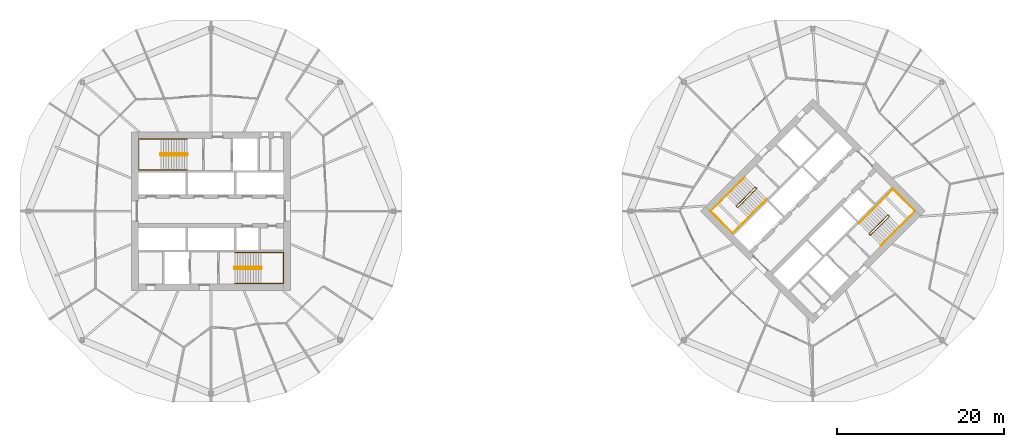
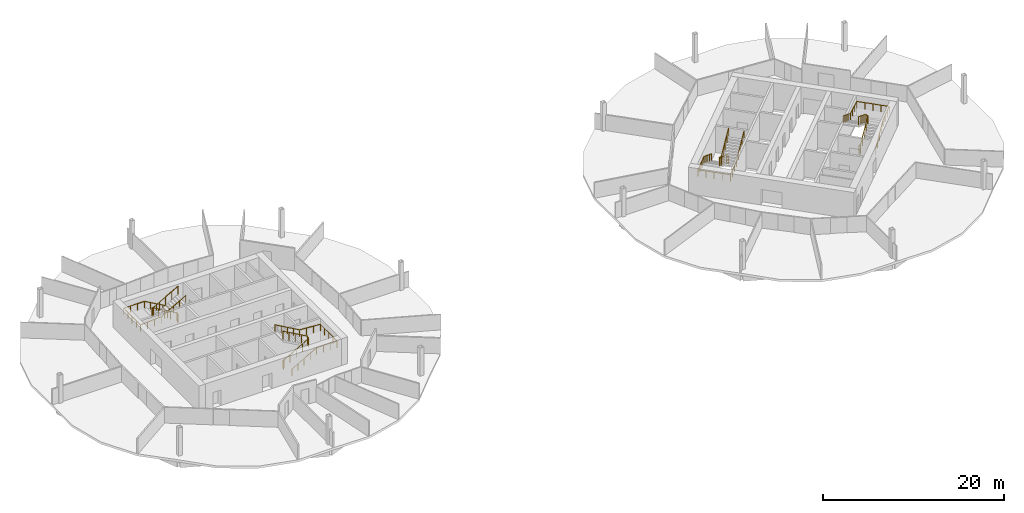
# One storey, part 9 of 9: 8 railings.
"""IFC4 building model written with IfcOpenShell, lengths in metres."""

from ifc_helpers import new_model, si_unit, direction, frame, origin, origin_2d, place, context, subcontext, project, spatial, circle, extrude, material, type_object, element, save


model = new_model("IFC4")

# Units and contexts
model_context = context("Model", 3, precision=1e-05, world=origin(), true_north=direction((0.0, 1.0)))
body_context = subcontext(model_context, "Body", "Model", "MODEL_VIEW")
ifc_project = project(units=[si_unit("LENGTHUNIT", "METRE"), si_unit("AREAUNIT", "SQUARE_METRE"), si_unit("VOLUMEUNIT", "CUBIC_METRE"), si_unit("PLANEANGLEUNIT", "RADIAN"), si_unit("MASSUNIT", "GRAM", prefix="KILO")], contexts=[model_context])

# Site, building, storey
site_placement = place(None, origin())
site = spatial("IfcSite", under=ifc_project, at=site_placement, CompositionType="ELEMENT")
building_placement = place(site_placement, origin())
building = spatial("IfcBuilding", under=site, at=building_placement, Name="Ogive Gate Towers", CompositionType="ELEMENT")
storey_placement = place(building_placement, frame((0.0, 0.0, 48.0)))
storey = spatial("IfcBuildingStorey", under=building, at=storey_placement, Name="L10", CompositionType="ELEMENT", Elevation=48.0)

# Railings
ifc_material = material(Name="Stainless steel", Category="steel")
railing_type_1 = type_object("IfcRailingType", Name="Stair guard 1100", PredefinedType="GUARDRAIL", material=ifc_material)
railing_1_placement = place(storey_placement, frame((-38.81494140625, 6.860107421875, 0.0)))
element("IfcRailing", 1, at=railing_1_placement, inside=storey, type_object=railing_type_1, Name="L10 ST1 stair guard 1", PredefinedType="GUARDRAIL", context=body_context, shape_type="SweptSolid", body=[
    extrude(circle(Radius=0.02392578125, at=origin_2d()), frame((0.0, 0.0, 1.076171875), z_axis=(0.0, -1.0, 0.0), x_axis=(1.0, 0.0, 0.0)), (0.0, 0.0, 1.0), 0.14501953125),
    extrude(circle(Radius=0.02392578125, at=origin_2d()), frame((0.0, -0.14501953125, 1.076171875), z_axis=(-0.186679794065, 0.726685247142, 0.661119660934), x_axis=(-0.968551454522, -0.24881334358, 0.0)), (0.0, 0.0, 1.0), 0.26806640625),
    extrude(circle(Radius=0.02392578125, at=origin_2d()), frame((-0.050048828125, 0.0498046875, 1.25341796875), z_axis=(-0.870572935281, 0.0, 0.492039393094), x_axis=(0.0, -1.0, 0.0)), (0.0, 0.0, 1.0), 3.602783203125),
    extrude(circle(Radius=0.02392578125, at=origin_2d()), frame((-3.1865234375, 0.0498046875, 3.02587890625), z_axis=(-0.707106781187, -0.707106781187, 0.0), x_axis=(0.707106781187, -0.707106781187, 0.0)), (0.0, 0.0, 1.0), 0.0703125),
    extrude(circle(Radius=0.02392578125, at=origin_2d()), frame((-3.236328125, 0.0, 3.02587890625), z_axis=(0.0, -1.0, 0.0), x_axis=(1.0, 0.0, 0.0)), (0.0, 0.0, 1.0), 0.14501953125),
    extrude(circle(Radius=0.02392578125, at=origin_2d()), frame((-3.236328125, -0.14501953125, 3.02587890625), z_axis=(0.261041864531, -0.262321481514, 0.929001929653), x_axis=(0.708833529934, 0.705375805398, 0.0)), (0.0, 0.0, 1.0), 0.190673828125),
    extrude(circle(Radius=0.02392578125, at=origin_2d()), frame((-3.1865234375, -0.195068359375, 3.203125), z_axis=(0.870572935281, 0.0, 0.492039393094), x_axis=(0.0, 1.0, 0.0)), (0.0, 0.0, 1.0), 3.602783203125),
    extrude(circle(Radius=0.02099609375, at=origin_2d()), origin(), (0.0, 0.0, 1.0), 1.052001953125),
    extrude(circle(Radius=0.02099609375, at=origin_2d()), frame((0.0, -0.14501953125, 0.0)), (0.0, 0.0, 1.0), 1.052001953125),
    extrude(circle(Radius=0.02099609375, at=origin_2d()), frame((-0.050048828125, 0.0498046875, 0.17724609375)), (0.0, 0.0, 1.0), 1.052001953125),
    extrude(circle(Radius=0.02099609375, at=origin_2d()), frame((-0.834228515625, 0.0498046875, 0.620361328125)), (0.0, 0.0, 1.0), 1.052001953125),
    extrude(circle(Radius=0.02099609375, at=origin_2d()), frame((-1.6181640625, 0.0498046875, 1.0634765625)), (0.0, 0.0, 1.0), 1.052001953125),
    extrude(circle(Radius=0.02099609375, at=origin_2d()), frame((-2.40234375, 0.0498046875, 1.5068359375)), (0.0, 0.0, 1.0), 1.052001953125),
    extrude(circle(Radius=0.02099609375, at=origin_2d()), frame((-3.1865234375, 0.0498046875, 1.949951171875)), (0.0, 0.0, 1.0), 1.052001953125),
    extrude(circle(Radius=0.02099609375, at=origin_2d()), frame((-3.236328125, 0.0, 1.949951171875)), (0.0, 0.0, 1.0), 1.052001953125),
    extrude(circle(Radius=0.02099609375, at=origin_2d()), frame((-3.236328125, -0.14501953125, 1.949951171875)), (0.0, 0.0, 1.0), 1.052001953125),
    extrude(circle(Radius=0.02099609375, at=origin_2d()), frame((-3.1865234375, -0.195068359375, 2.127197265625)), (0.0, 0.0, 1.0), 1.052001953125),
    extrude(circle(Radius=0.02099609375, at=origin_2d()), frame((-2.40234375, -0.195068359375, 2.5703125)), (0.0, 0.0, 1.0), 1.052001953125),
    extrude(circle(Radius=0.02099609375, at=origin_2d()), frame((-1.6181640625, -0.195068359375, 3.013671875)), (0.0, 0.0, 1.0), 1.052001953125),
    extrude(circle(Radius=0.02099609375, at=origin_2d()), frame((-0.834228515625, -0.195068359375, 3.456787109375)), (0.0, 0.0, 1.0), 1.052001953125),
    extrude(circle(Radius=0.02099609375, at=origin_2d()), frame((-0.050048828125, -0.195068359375, 3.89990234375)), (0.0, 0.0, 1.0), 1.052001953125),
])
railing_2_placement = place(storey_placement, frame((-33.18505859375, -6.860107421875, 0.0)))
element("IfcRailing", 2, at=railing_2_placement, inside=storey, type_object=railing_type_1, Name="L10 ST2 stair guard 1", PredefinedType="GUARDRAIL", context=body_context, shape_type="SweptSolid", body=[
    extrude(circle(Radius=0.02392578125, at=origin_2d()), frame((0.0, 0.0, 1.076171875), z_axis=(0.0, 1.0, 0.0), x_axis=(-1.0, 0.0, 0.0)), (0.0, 0.0, 1.0), 0.14501953125),
    extrude(circle(Radius=0.02392578125, at=origin_2d()), frame((0.0, 0.14501953125, 1.076171875), z_axis=(0.186679794065, -0.726685247142, 0.661119660934), x_axis=(0.968551454522, 0.24881334358, 0.0)), (0.0, 0.0, 1.0), 0.26806640625),
    extrude(circle(Radius=0.02392578125, at=origin_2d()), frame((0.050048828125, -0.0498046875, 1.25341796875), z_axis=(0.870572935281, 0.0, 0.492039393094), x_axis=(0.0, 1.0, 0.0)), (0.0, 0.0, 1.0), 3.602783203125),
    extrude(circle(Radius=0.02392578125, at=origin_2d()), frame((3.1865234375, -0.0498046875, 3.02587890625), z_axis=(0.707106781187, 0.707106781187, 0.0), x_axis=(-0.707106781187, 0.707106781187, 0.0)), (0.0, 0.0, 1.0), 0.0703125),
    extrude(circle(Radius=0.02392578125, at=origin_2d()), frame((3.236328125, 0.0, 3.02587890625), z_axis=(0.0, 1.0, 0.0), x_axis=(-1.0, 0.0, 0.0)), (0.0, 0.0, 1.0), 0.14501953125),
    extrude(circle(Radius=0.02392578125, at=origin_2d()), frame((3.236328125, 0.14501953125, 3.02587890625), z_axis=(-0.261041864531, 0.262321481514, 0.929001929653), x_axis=(-0.708833529934, -0.705375805398, 0.0)), (0.0, 0.0, 1.0), 0.190673828125),
    extrude(circle(Radius=0.02392578125, at=origin_2d()), frame((3.1865234375, 0.195068359375, 3.203125), z_axis=(-0.870572935281, 0.0, 0.492039393094), x_axis=(0.0, -1.0, 0.0)), (0.0, 0.0, 1.0), 3.602783203125),
    extrude(circle(Radius=0.02099609375, at=origin_2d()), origin(), (0.0, 0.0, 1.0), 1.052001953125),
    extrude(circle(Radius=0.02099609375, at=origin_2d()), frame((0.0, 0.14501953125, 0.0)), (0.0, 0.0, 1.0), 1.052001953125),
    extrude(circle(Radius=0.02099609375, at=origin_2d()), frame((0.050048828125, -0.0498046875, 0.17724609375)), (0.0, 0.0, 1.0), 1.052001953125),
    extrude(circle(Radius=0.02099609375, at=origin_2d()), frame((0.834228515625, -0.0498046875, 0.620361328125)), (0.0, 0.0, 1.0), 1.052001953125),
    extrude(circle(Radius=0.02099609375, at=origin_2d()), frame((1.6181640625, -0.0498046875, 1.0634765625)), (0.0, 0.0, 1.0), 1.052001953125),
    extrude(circle(Radius=0.02099609375, at=origin_2d()), frame((2.40234375, -0.0498046875, 1.5068359375)), (0.0, 0.0, 1.0), 1.052001953125),
    extrude(circle(Radius=0.02099609375, at=origin_2d()), frame((3.1865234375, -0.0498046875, 1.949951171875)), (0.0, 0.0, 1.0), 1.052001953125),
    extrude(circle(Radius=0.02099609375, at=origin_2d()), frame((3.236328125, 0.0, 1.949951171875)), (0.0, 0.0, 1.0), 1.052001953125),
    extrude(circle(Radius=0.02099609375, at=origin_2d()), frame((3.236328125, 0.14501953125, 1.949951171875)), (0.0, 0.0, 1.0), 1.052001953125),
    extrude(circle(Radius=0.02099609375, at=origin_2d()), frame((3.1865234375, 0.195068359375, 2.127197265625)), (0.0, 0.0, 1.0), 1.052001953125),
    extrude(circle(Radius=0.02099609375, at=origin_2d()), frame((2.40234375, 0.195068359375, 2.5703125)), (0.0, 0.0, 1.0), 1.052001953125),
    extrude(circle(Radius=0.02099609375, at=origin_2d()), frame((1.6181640625, 0.195068359375, 3.013671875)), (0.0, 0.0, 1.0), 1.052001953125),
    extrude(circle(Radius=0.02099609375, at=origin_2d()), frame((0.834228515625, 0.195068359375, 3.456787109375)), (0.0, 0.0, 1.0), 1.052001953125),
    extrude(circle(Radius=0.02099609375, at=origin_2d()), frame((0.050048828125, 0.195068359375, 3.89990234375)), (0.0, 0.0, 1.0), 1.052001953125),
])
railing_3_placement = place(storey_placement, frame((29.15869140625, 2.8603515625, 0.0)))
element("IfcRailing", 3, at=railing_3_placement, inside=storey, type_object=railing_type_1, Name="L10 ST1 stair guard 1", PredefinedType="GUARDRAIL", context=body_context, shape_type="SweptSolid", body=[
    extrude(circle(Radius=0.02392578125, at=origin_2d()), frame((0.0, 0.0, 1.076171875), z_axis=(0.707106781187, -0.707106781187, 0.0), x_axis=(0.707106781187, 0.707106781187, 0.0)), (0.0, 0.0, 1.0), 0.14501953125),
    extrude(circle(Radius=0.02392578125, at=origin_2d()), frame((0.1025390625, -0.1025390625, 1.076171875), z_axis=(-0.645571447971, 0.382425963537, 0.661050594114), x_axis=(-0.509669330572, -0.860370369942, 0.0)), (0.0, 0.0, 1.0), 0.26806640625),
    extrude(circle(Radius=0.02392578125, at=origin_2d()), frame((-0.070556640625, 0.0, 1.25341796875), z_axis=(-0.61558473135, -0.61558473135, 0.49204763698), x_axis=(0.707106781187, -0.707106781187, 0.0)), (0.0, 0.0, 1.0), 3.602783203125),
    extrude(circle(Radius=0.02392578125, at=origin_2d()), frame((-2.288330078125, -2.2177734375, 3.02587890625), z_axis=(0.0, -1.0, 0.0), x_axis=(1.0, 0.0, 0.0)), (0.0, 0.0, 1.0), 0.07080078125),
    extrude(circle(Radius=0.02392578125, at=origin_2d()), frame((-2.288330078125, -2.28857421875, 3.02587890625), z_axis=(0.707106781187, -0.707106781187, 0.0), x_axis=(0.707106781187, 0.707106781187, 0.0)), (0.0, 0.0, 1.0), 0.14501953125),
    extrude(circle(Radius=0.02392578125, at=origin_2d()), frame((-2.185791015625, -2.39111328125, 3.02587890625), z_axis=(0.369845645421, 0.0, 0.929093213065), x_axis=(0.0, 1.0, 0.0)), (0.0, 0.0, 1.0), 0.190673828125),
    extrude(circle(Radius=0.02392578125, at=origin_2d()), frame((-2.115234375, -2.39111328125, 3.203125), z_axis=(0.61558473135, 0.61558473135, 0.49204763698), x_axis=(-0.707106781187, 0.707106781187, 0.0)), (0.0, 0.0, 1.0), 3.602783203125),
    extrude(circle(Radius=0.02099609375, at=origin_2d()), origin(), (0.0, 0.0, 1.0), 1.052001953125),
    extrude(circle(Radius=0.02099609375, at=origin_2d()), frame((0.1025390625, -0.1025390625, 0.0)), (0.0, 0.0, 1.0), 1.052001953125),
    extrude(circle(Radius=0.02099609375, at=origin_2d()), frame((-0.070556640625, 0.0, 0.17724609375)), (0.0, 0.0, 1.0), 1.052001953125),
    extrude(circle(Radius=0.02099609375, at=origin_2d()), frame((-0.625, -0.554443359375, 0.620361328125)), (0.0, 0.0, 1.0), 1.052001953125),
    extrude(circle(Radius=0.02099609375, at=origin_2d()), frame((-1.179443359375, -1.10888671875, 1.0634765625)), (0.0, 0.0, 1.0), 1.052001953125),
    extrude(circle(Radius=0.02099609375, at=origin_2d()), frame((-1.73388671875, -1.663330078125, 1.5068359375)), (0.0, 0.0, 1.0), 1.052001953125),
    extrude(circle(Radius=0.02099609375, at=origin_2d()), frame((-2.288330078125, -2.2177734375, 1.949951171875)), (0.0, 0.0, 1.0), 1.052001953125),
    extrude(circle(Radius=0.02099609375, at=origin_2d()), frame((-2.288330078125, -2.28857421875, 1.949951171875)), (0.0, 0.0, 1.0), 1.052001953125),
    extrude(circle(Radius=0.02099609375, at=origin_2d()), frame((-2.185791015625, -2.39111328125, 1.949951171875)), (0.0, 0.0, 1.0), 1.052001953125),
    extrude(circle(Radius=0.02099609375, at=origin_2d()), frame((-2.115234375, -2.39111328125, 2.127197265625)), (0.0, 0.0, 1.0), 1.052001953125),
    extrude(circle(Radius=0.02099609375, at=origin_2d()), frame((-1.560791015625, -1.836669921875, 2.5703125)), (0.0, 0.0, 1.0), 1.052001953125),
    extrude(circle(Radius=0.02099609375, at=origin_2d()), frame((-1.00634765625, -1.2822265625, 3.013671875)), (0.0, 0.0, 1.0), 1.052001953125),
    extrude(circle(Radius=0.02099609375, at=origin_2d()), frame((-0.451904296875, -0.727783203125, 3.456787109375)), (0.0, 0.0, 1.0), 1.052001953125),
    extrude(circle(Radius=0.02099609375, at=origin_2d()), frame((0.1025390625, -0.17333984375, 3.89990234375)), (0.0, 0.0, 1.0), 1.052001953125),
])
railing_4_placement = place(storey_placement, frame((42.84130859375, -2.8603515625, 0.0)))
element("IfcRailing", 4, at=railing_4_placement, inside=storey, type_object=railing_type_1, Name="L10 ST2 stair guard 1", PredefinedType="GUARDRAIL", context=body_context, shape_type="SweptSolid", body=[
    extrude(circle(Radius=0.02392578125, at=origin_2d()), frame((0.0, 0.0, 1.076171875), z_axis=(-0.707106781187, 0.707106781187, 0.0), x_axis=(-0.707106781187, -0.707106781187, 0.0)), (0.0, 0.0, 1.0), 0.14501953125),
    extrude(circle(Radius=0.02392578125, at=origin_2d()), frame((-0.1025390625, 0.1025390625, 1.076171875), z_axis=(0.645571447971, -0.382425963537, 0.661050594114), x_axis=(0.509669330572, 0.860370369942, 0.0)), (0.0, 0.0, 1.0), 0.26806640625),
    extrude(circle(Radius=0.02392578125, at=origin_2d()), frame((0.070556640625, 0.0, 1.25341796875), z_axis=(0.61558473135, 0.61558473135, 0.49204763698), x_axis=(-0.707106781187, 0.707106781187, 0.0)), (0.0, 0.0, 1.0), 3.602783203125),
    extrude(circle(Radius=0.02392578125, at=origin_2d()), frame((2.288330078125, 2.2177734375, 3.02587890625), z_axis=(0.0, 1.0, 0.0), x_axis=(-1.0, 0.0, 0.0)), (0.0, 0.0, 1.0), 0.07080078125),
    extrude(circle(Radius=0.02392578125, at=origin_2d()), frame((2.288330078125, 2.28857421875, 3.02587890625), z_axis=(-0.707106781187, 0.707106781187, 0.0), x_axis=(-0.707106781187, -0.707106781187, 0.0)), (0.0, 0.0, 1.0), 0.14501953125),
    extrude(circle(Radius=0.02392578125, at=origin_2d()), frame((2.185791015625, 2.39111328125, 3.02587890625), z_axis=(-0.369845645421, 0.0, 0.929093213065), x_axis=(0.0, -1.0, 0.0)), (0.0, 0.0, 1.0), 0.190673828125),
    extrude(circle(Radius=0.02392578125, at=origin_2d()), frame((2.115234375, 2.39111328125, 3.203125), z_axis=(-0.61558473135, -0.61558473135, 0.49204763698), x_axis=(0.707106781187, -0.707106781187, 0.0)), (0.0, 0.0, 1.0), 3.602783203125),
    extrude(circle(Radius=0.02099609375, at=origin_2d()), origin(), (0.0, 0.0, 1.0), 1.052001953125),
    extrude(circle(Radius=0.02099609375, at=origin_2d()), frame((-0.1025390625, 0.1025390625, 0.0)), (0.0, 0.0, 1.0), 1.052001953125),
    extrude(circle(Radius=0.02099609375, at=origin_2d()), frame((0.070556640625, 0.0, 0.17724609375)), (0.0, 0.0, 1.0), 1.052001953125),
    extrude(circle(Radius=0.02099609375, at=origin_2d()), frame((0.625, 0.554443359375, 0.620361328125)), (0.0, 0.0, 1.0), 1.052001953125),
    extrude(circle(Radius=0.02099609375, at=origin_2d()), frame((1.179443359375, 1.10888671875, 1.0634765625)), (0.0, 0.0, 1.0), 1.052001953125),
    extrude(circle(Radius=0.02099609375, at=origin_2d()), frame((1.73388671875, 1.663330078125, 1.5068359375)), (0.0, 0.0, 1.0), 1.052001953125),
    extrude(circle(Radius=0.02099609375, at=origin_2d()), frame((2.288330078125, 2.2177734375, 1.949951171875)), (0.0, 0.0, 1.0), 1.052001953125),
    extrude(circle(Radius=0.02099609375, at=origin_2d()), frame((2.288330078125, 2.28857421875, 1.949951171875)), (0.0, 0.0, 1.0), 1.052001953125),
    extrude(circle(Radius=0.02099609375, at=origin_2d()), frame((2.185791015625, 2.39111328125, 1.949951171875)), (0.0, 0.0, 1.0), 1.052001953125),
    extrude(circle(Radius=0.02099609375, at=origin_2d()), frame((2.115234375, 2.39111328125, 2.127197265625)), (0.0, 0.0, 1.0), 1.052001953125),
    extrude(circle(Radius=0.02099609375, at=origin_2d()), frame((1.560791015625, 1.836669921875, 2.5703125)), (0.0, 0.0, 1.0), 1.052001953125),
    extrude(circle(Radius=0.02099609375, at=origin_2d()), frame((1.00634765625, 1.2822265625, 3.013671875)), (0.0, 0.0, 1.0), 1.052001953125),
    extrude(circle(Radius=0.02099609375, at=origin_2d()), frame((0.451904296875, 0.727783203125, 3.456787109375)), (0.0, 0.0, 1.0), 1.052001953125),
    extrude(circle(Radius=0.02099609375, at=origin_2d()), frame((-0.1025390625, 0.17333984375, 3.89990234375)), (0.0, 0.0, 1.0), 1.052001953125),
])
railing_type_2 = type_object("IfcRailingType", Name="Stair handrail 900", PredefinedType="HANDRAIL", material=ifc_material)
railing_5_placement = place(storey_placement, frame((-38.864990234375, 8.64990234375, 0.17724609375)))
element("IfcRailing", 5, at=railing_5_placement, inside=storey, type_object=railing_type_2, Name="L10 ST1 stair handrail 1", PredefinedType="HANDRAIL", context=body_context, shape_type="SweptSolid", body=[
    extrude(circle(Radius=0.02392578125, at=origin_2d()), frame((0.0, 0.0, 0.8759765625), z_axis=(-0.870572935281, 0.0, 0.492039393094), x_axis=(0.0, -1.0, 0.0)), (0.0, 0.0, 1.0), 3.602783203125),
    extrude(circle(Radius=0.02392578125, at=origin_2d()), frame((-3.136474609375, 0.0, 2.6484375), z_axis=(-1.0, 0.0, 0.0), x_axis=(0.0, -1.0, 0.0)), (0.0, 0.0, 1.0), 2.6484375),
    extrude(circle(Radius=0.02392578125, at=origin_2d()), frame((-5.784912109375, 0.0, 2.6484375), z_axis=(0.0, -1.0, 0.0), x_axis=(1.0, 0.0, 0.0)), (0.0, 0.0, 1.0), 3.724853515625),
    extrude(circle(Radius=0.02392578125, at=origin_2d()), frame((-5.784912109375, -3.724853515625, 2.6484375), z_axis=(0.997768031817, 0.0, 0.066775404784), x_axis=(0.0, 1.0, 0.0)), (0.0, 0.0, 1.0), 2.654296875),
    extrude(circle(Radius=0.02392578125, at=origin_2d()), frame((-3.136474609375, -3.724853515625, 2.82568359375), z_axis=(0.870572935281, 0.0, 0.492039393094), x_axis=(0.0, 1.0, 0.0)), (0.0, 0.0, 1.0), 3.602783203125),
    extrude(circle(Radius=0.02099609375, at=origin_2d()), origin(), (0.0, 0.0, 1.0), 0.851806640625),
    extrude(circle(Radius=0.02099609375, at=origin_2d()), frame((-0.7841796875, 0.0, 0.443115234375)), (0.0, 0.0, 1.0), 0.851806640625),
    extrude(circle(Radius=0.02099609375, at=origin_2d()), frame((-1.568359375, 0.0, 0.88623046875)), (0.0, 0.0, 1.0), 0.851806640625),
    extrude(circle(Radius=0.02099609375, at=origin_2d()), frame((-2.352294921875, 0.0, 1.32958984375)), (0.0, 0.0, 1.0), 0.851806640625),
    extrude(circle(Radius=0.02099609375, at=origin_2d()), frame((-3.136474609375, 0.0, 1.772705078125)), (0.0, 0.0, 1.0), 0.851806640625),
    extrude(circle(Radius=0.02099609375, at=origin_2d()), frame((-4.019287109375, 0.0, 1.772705078125)), (0.0, 0.0, 1.0), 0.851806640625),
    extrude(circle(Radius=0.02099609375, at=origin_2d()), frame((-4.902099609375, 0.0, 1.772705078125)), (0.0, 0.0, 1.0), 0.851806640625),
    extrude(circle(Radius=0.02099609375, at=origin_2d()), frame((-5.784912109375, 0.0, 1.772705078125)), (0.0, 0.0, 1.0), 0.851806640625),
    extrude(circle(Radius=0.02099609375, at=origin_2d()), frame((-5.784912109375, -0.93115234375, 1.772705078125)), (0.0, 0.0, 1.0), 0.851806640625),
    extrude(circle(Radius=0.02099609375, at=origin_2d()), frame((-5.784912109375, -1.8623046875, 1.772705078125)), (0.0, 0.0, 1.0), 0.851806640625),
    extrude(circle(Radius=0.02099609375, at=origin_2d()), frame((-5.784912109375, -2.793701171875, 1.772705078125)), (0.0, 0.0, 1.0), 0.851806640625),
    extrude(circle(Radius=0.02099609375, at=origin_2d()), frame((-5.784912109375, -3.724853515625, 1.772705078125)), (0.0, 0.0, 1.0), 0.851806640625),
    extrude(circle(Radius=0.02099609375, at=origin_2d()), frame((-4.902099609375, -3.724853515625, 1.831787109375)), (0.0, 0.0, 1.0), 0.851806640625),
    extrude(circle(Radius=0.02099609375, at=origin_2d()), frame((-4.019287109375, -3.724853515625, 1.890869140625)), (0.0, 0.0, 1.0), 0.851806640625),
    extrude(circle(Radius=0.02099609375, at=origin_2d()), frame((-3.136474609375, -3.724853515625, 1.949951171875)), (0.0, 0.0, 1.0), 0.851806640625),
    extrude(circle(Radius=0.02099609375, at=origin_2d()), frame((-2.352294921875, -3.724853515625, 2.39306640625)), (0.0, 0.0, 1.0), 0.851806640625),
    extrude(circle(Radius=0.02099609375, at=origin_2d()), frame((-1.568359375, -3.724853515625, 2.83642578125)), (0.0, 0.0, 1.0), 0.851806640625),
    extrude(circle(Radius=0.02099609375, at=origin_2d()), frame((-0.7841796875, -3.724853515625, 3.279541015625)), (0.0, 0.0, 1.0), 0.851806640625),
    extrude(circle(Radius=0.02099609375, at=origin_2d()), frame((0.0, -3.724853515625, 3.72265625)), (0.0, 0.0, 1.0), 0.851806640625),
])
railing_6_placement = place(storey_placement, frame((-33.135009765625, -8.64990234375, 0.17724609375)))
element("IfcRailing", 6, at=railing_6_placement, inside=storey, type_object=railing_type_2, Name="L10 ST2 stair handrail 1", PredefinedType="HANDRAIL", context=body_context, shape_type="SweptSolid", body=[
    extrude(circle(Radius=0.02392578125, at=origin_2d()), frame((0.0, 0.0, 0.8759765625), z_axis=(0.870572935281, 0.0, 0.492039393094), x_axis=(0.0, 1.0, 0.0)), (0.0, 0.0, 1.0), 3.602783203125),
    extrude(circle(Radius=0.02392578125, at=origin_2d()), frame((3.136474609375, 0.0, 2.6484375), z_axis=(1.0, 0.0, 0.0), x_axis=(0.0, 1.0, 0.0)), (0.0, 0.0, 1.0), 2.6484375),
    extrude(circle(Radius=0.02392578125, at=origin_2d()), frame((5.784912109375, 0.0, 2.6484375), z_axis=(0.0, 1.0, 0.0), x_axis=(-1.0, 0.0, 0.0)), (0.0, 0.0, 1.0), 3.724853515625),
    extrude(circle(Radius=0.02392578125, at=origin_2d()), frame((5.784912109375, 3.724853515625, 2.6484375), z_axis=(-0.997768031817, 0.0, 0.066775404784), x_axis=(0.0, -1.0, 0.0)), (0.0, 0.0, 1.0), 2.654296875),
    extrude(circle(Radius=0.02392578125, at=origin_2d()), frame((3.136474609375, 3.724853515625, 2.82568359375), z_axis=(-0.870572935281, 0.0, 0.492039393094), x_axis=(0.0, -1.0, 0.0)), (0.0, 0.0, 1.0), 3.602783203125),
    extrude(circle(Radius=0.02099609375, at=origin_2d()), origin(), (0.0, 0.0, 1.0), 0.851806640625),
    extrude(circle(Radius=0.02099609375, at=origin_2d()), frame((0.7841796875, 0.0, 0.443115234375)), (0.0, 0.0, 1.0), 0.851806640625),
    extrude(circle(Radius=0.02099609375, at=origin_2d()), frame((1.568359375, 0.0, 0.88623046875)), (0.0, 0.0, 1.0), 0.851806640625),
    extrude(circle(Radius=0.02099609375, at=origin_2d()), frame((2.352294921875, 0.0, 1.32958984375)), (0.0, 0.0, 1.0), 0.851806640625),
    extrude(circle(Radius=0.02099609375, at=origin_2d()), frame((3.136474609375, 0.0, 1.772705078125)), (0.0, 0.0, 1.0), 0.851806640625),
    extrude(circle(Radius=0.02099609375, at=origin_2d()), frame((4.019287109375, 0.0, 1.772705078125)), (0.0, 0.0, 1.0), 0.851806640625),
    extrude(circle(Radius=0.02099609375, at=origin_2d()), frame((4.902099609375, 0.0, 1.772705078125)), (0.0, 0.0, 1.0), 0.851806640625),
    extrude(circle(Radius=0.02099609375, at=origin_2d()), frame((5.784912109375, 0.0, 1.772705078125)), (0.0, 0.0, 1.0), 0.851806640625),
    extrude(circle(Radius=0.02099609375, at=origin_2d()), frame((5.784912109375, 0.93115234375, 1.772705078125)), (0.0, 0.0, 1.0), 0.851806640625),
    extrude(circle(Radius=0.02099609375, at=origin_2d()), frame((5.784912109375, 1.8623046875, 1.772705078125)), (0.0, 0.0, 1.0), 0.851806640625),
    extrude(circle(Radius=0.02099609375, at=origin_2d()), frame((5.784912109375, 2.793701171875, 1.772705078125)), (0.0, 0.0, 1.0), 0.851806640625),
    extrude(circle(Radius=0.02099609375, at=origin_2d()), frame((5.784912109375, 3.724853515625, 1.772705078125)), (0.0, 0.0, 1.0), 0.851806640625),
    extrude(circle(Radius=0.02099609375, at=origin_2d()), frame((4.902099609375, 3.724853515625, 1.831787109375)), (0.0, 0.0, 1.0), 0.851806640625),
    extrude(circle(Radius=0.02099609375, at=origin_2d()), frame((4.019287109375, 3.724853515625, 1.890869140625)), (0.0, 0.0, 1.0), 0.851806640625),
    extrude(circle(Radius=0.02099609375, at=origin_2d()), frame((3.136474609375, 3.724853515625, 1.949951171875)), (0.0, 0.0, 1.0), 0.851806640625),
    extrude(circle(Radius=0.02099609375, at=origin_2d()), frame((2.352294921875, 3.724853515625, 2.39306640625)), (0.0, 0.0, 1.0), 0.851806640625),
    extrude(circle(Radius=0.02099609375, at=origin_2d()), frame((1.568359375, 3.724853515625, 2.83642578125)), (0.0, 0.0, 1.0), 0.851806640625),
    extrude(circle(Radius=0.02099609375, at=origin_2d()), frame((0.7841796875, 3.724853515625, 3.279541015625)), (0.0, 0.0, 1.0), 0.851806640625),
    extrude(circle(Radius=0.02099609375, at=origin_2d()), frame((0.0, 3.724853515625, 3.72265625)), (0.0, 0.0, 1.0), 0.851806640625),
])
railing_7_placement = place(storey_placement, frame((27.857666015625, 4.090576171875, 0.17724609375)))
element("IfcRailing", 7, at=railing_7_placement, inside=storey, type_object=railing_type_2, Name="L10 ST1 stair handrail 1", PredefinedType="HANDRAIL", context=body_context, shape_type="SweptSolid", body=[
    extrude(circle(Radius=0.02392578125, at=origin_2d()), frame((0.0, 0.0, 0.8759765625), z_axis=(-0.61558473135, -0.61558473135, 0.49204763698), x_axis=(0.707106781187, -0.707106781187, 0.0)), (0.0, 0.0, 1.0), 3.602783203125),
    extrude(circle(Radius=0.02392578125, at=origin_2d()), frame((-2.2177734375, -2.2177734375, 2.6484375), z_axis=(-0.707106781187, -0.707106781187, 0.0), x_axis=(0.707106781187, -0.707106781187, 0.0)), (0.0, 0.0, 1.0), 2.6484375),
    extrude(circle(Radius=0.02392578125, at=origin_2d()), frame((-4.090576171875, -4.090576171875, 2.6484375), z_axis=(0.707106781187, -0.707106781187, 0.0), x_axis=(0.707106781187, 0.707106781187, 0.0)), (0.0, 0.0, 1.0), 3.72509765625),
    extrude(circle(Radius=0.02392578125, at=origin_2d()), frame((-1.45654296875, -6.724609375, 2.6484375), z_axis=(0.705482886452, 0.705574853978, 0.066768423356), x_axis=(-0.70715286629, 0.70706069308, 0.0)), (0.0, 0.0, 1.0), 2.654541015625),
    extrude(circle(Radius=0.02392578125, at=origin_2d()), frame((0.416259765625, -4.8515625, 2.82568359375), z_axis=(0.615610411033, 0.615542642384, 0.4920681632), x_axis=(-0.70706785752, 0.70714570271, 0.0)), (0.0, 0.0, 1.0), 3.6025390625),
    extrude(circle(Radius=0.02099609375, at=origin_2d()), origin(), (0.0, 0.0, 1.0), 0.851806640625),
    extrude(circle(Radius=0.02099609375, at=origin_2d()), frame((-0.554443359375, -0.554443359375, 0.443115234375)), (0.0, 0.0, 1.0), 0.851806640625),
    extrude(circle(Radius=0.02099609375, at=origin_2d()), frame((-1.10888671875, -1.10888671875, 0.88623046875)), (0.0, 0.0, 1.0), 0.851806640625),
    extrude(circle(Radius=0.02099609375, at=origin_2d()), frame((-1.663330078125, -1.663330078125, 1.32958984375)), (0.0, 0.0, 1.0), 0.851806640625),
    extrude(circle(Radius=0.02099609375, at=origin_2d()), frame((-2.2177734375, -2.2177734375, 1.772705078125)), (0.0, 0.0, 1.0), 0.851806640625),
    extrude(circle(Radius=0.02099609375, at=origin_2d()), frame((-2.842041015625, -2.842041015625, 1.772705078125)), (0.0, 0.0, 1.0), 0.851806640625),
    extrude(circle(Radius=0.02099609375, at=origin_2d()), frame((-3.46630859375, -3.46630859375, 1.772705078125)), (0.0, 0.0, 1.0), 0.851806640625),
    extrude(circle(Radius=0.02099609375, at=origin_2d()), frame((-4.090576171875, -4.090576171875, 1.772705078125)), (0.0, 0.0, 1.0), 0.851806640625),
    extrude(circle(Radius=0.02099609375, at=origin_2d()), frame((-3.43212890625, -4.7490234375, 1.772705078125)), (0.0, 0.0, 1.0), 0.851806640625),
    extrude(circle(Radius=0.02099609375, at=origin_2d()), frame((-2.7734375, -5.40771484375, 1.772705078125)), (0.0, 0.0, 1.0), 0.851806640625),
    extrude(circle(Radius=0.02099609375, at=origin_2d()), frame((-2.114990234375, -6.066162109375, 1.772705078125)), (0.0, 0.0, 1.0), 0.851806640625),
    extrude(circle(Radius=0.02099609375, at=origin_2d()), frame((-1.45654296875, -6.724609375, 1.772705078125)), (0.0, 0.0, 1.0), 0.851806640625),
    extrude(circle(Radius=0.02099609375, at=origin_2d()), frame((-0.832275390625, -6.100341796875, 1.831787109375)), (0.0, 0.0, 1.0), 0.851806640625),
    extrude(circle(Radius=0.02099609375, at=origin_2d()), frame((-0.2080078125, -5.475830078125, 1.890869140625)), (0.0, 0.0, 1.0), 0.851806640625),
    extrude(circle(Radius=0.02099609375, at=origin_2d()), frame((0.416259765625, -4.8515625, 1.949951171875)), (0.0, 0.0, 1.0), 0.851806640625),
    extrude(circle(Radius=0.02099609375, at=origin_2d()), frame((0.970703125, -4.297119140625, 2.39306640625)), (0.0, 0.0, 1.0), 0.851806640625),
    extrude(circle(Radius=0.02099609375, at=origin_2d()), frame((1.525146484375, -3.74267578125, 2.83642578125)), (0.0, 0.0, 1.0), 0.851806640625),
    extrude(circle(Radius=0.02099609375, at=origin_2d()), frame((2.07958984375, -3.1884765625, 3.279541015625)), (0.0, 0.0, 1.0), 0.851806640625),
    extrude(circle(Radius=0.02099609375, at=origin_2d()), frame((2.634033203125, -2.634033203125, 3.72265625)), (0.0, 0.0, 1.0), 0.851806640625),
])
railing_8_placement = place(storey_placement, frame((44.142333984375, -4.090576171875, 0.17724609375)))
element("IfcRailing", 8, at=railing_8_placement, inside=storey, type_object=railing_type_2, Name="L10 ST2 stair handrail 1", PredefinedType="HANDRAIL", context=body_context, shape_type="SweptSolid", body=[
    extrude(circle(Radius=0.02392578125, at=origin_2d()), frame((0.0, 0.0, 0.8759765625), z_axis=(0.61558473135, 0.61558473135, 0.49204763698), x_axis=(-0.707106781187, 0.707106781187, 0.0)), (0.0, 0.0, 1.0), 3.602783203125),
    extrude(circle(Radius=0.02392578125, at=origin_2d()), frame((2.2177734375, 2.2177734375, 2.6484375), z_axis=(0.707106781187, 0.707106781187, 0.0), x_axis=(-0.707106781187, 0.707106781187, 0.0)), (0.0, 0.0, 1.0), 2.6484375),
    extrude(circle(Radius=0.02392578125, at=origin_2d()), frame((4.090576171875, 4.090576171875, 2.6484375), z_axis=(-0.707106781187, 0.707106781187, 0.0), x_axis=(-0.707106781187, -0.707106781187, 0.0)), (0.0, 0.0, 1.0), 3.72509765625),
    extrude(circle(Radius=0.02392578125, at=origin_2d()), frame((1.45654296875, 6.724609375, 2.6484375), z_axis=(-0.705482886452, -0.705574853978, 0.066768423356), x_axis=(0.70715286629, -0.70706069308, 0.0)), (0.0, 0.0, 1.0), 2.654541015625),
    extrude(circle(Radius=0.02392578125, at=origin_2d()), frame((-0.416259765625, 4.8515625, 2.82568359375), z_axis=(-0.615610411033, -0.615542642384, 0.4920681632), x_axis=(0.70706785752, -0.70714570271, 0.0)), (0.0, 0.0, 1.0), 3.6025390625),
    extrude(circle(Radius=0.02099609375, at=origin_2d()), origin(), (0.0, 0.0, 1.0), 0.851806640625),
    extrude(circle(Radius=0.02099609375, at=origin_2d()), frame((0.554443359375, 0.554443359375, 0.443115234375)), (0.0, 0.0, 1.0), 0.851806640625),
    extrude(circle(Radius=0.02099609375, at=origin_2d()), frame((1.10888671875, 1.10888671875, 0.88623046875)), (0.0, 0.0, 1.0), 0.851806640625),
    extrude(circle(Radius=0.02099609375, at=origin_2d()), frame((1.663330078125, 1.663330078125, 1.32958984375)), (0.0, 0.0, 1.0), 0.851806640625),
    extrude(circle(Radius=0.02099609375, at=origin_2d()), frame((2.2177734375, 2.2177734375, 1.772705078125)), (0.0, 0.0, 1.0), 0.851806640625),
    extrude(circle(Radius=0.02099609375, at=origin_2d()), frame((2.842041015625, 2.842041015625, 1.772705078125)), (0.0, 0.0, 1.0), 0.851806640625),
    extrude(circle(Radius=0.02099609375, at=origin_2d()), frame((3.46630859375, 3.46630859375, 1.772705078125)), (0.0, 0.0, 1.0), 0.851806640625),
    extrude(circle(Radius=0.02099609375, at=origin_2d()), frame((4.090576171875, 4.090576171875, 1.772705078125)), (0.0, 0.0, 1.0), 0.851806640625),
    extrude(circle(Radius=0.02099609375, at=origin_2d()), frame((3.43212890625, 4.7490234375, 1.772705078125)), (0.0, 0.0, 1.0), 0.851806640625),
    extrude(circle(Radius=0.02099609375, at=origin_2d()), frame((2.7734375, 5.40771484375, 1.772705078125)), (0.0, 0.0, 1.0), 0.851806640625),
    extrude(circle(Radius=0.02099609375, at=origin_2d()), frame((2.114990234375, 6.066162109375, 1.772705078125)), (0.0, 0.0, 1.0), 0.851806640625),
    extrude(circle(Radius=0.02099609375, at=origin_2d()), frame((1.45654296875, 6.724609375, 1.772705078125)), (0.0, 0.0, 1.0), 0.851806640625),
    extrude(circle(Radius=0.02099609375, at=origin_2d()), frame((0.832275390625, 6.100341796875, 1.831787109375)), (0.0, 0.0, 1.0), 0.851806640625),
    extrude(circle(Radius=0.02099609375, at=origin_2d()), frame((0.2080078125, 5.475830078125, 1.890869140625)), (0.0, 0.0, 1.0), 0.851806640625),
    extrude(circle(Radius=0.02099609375, at=origin_2d()), frame((-0.416259765625, 4.8515625, 1.949951171875)), (0.0, 0.0, 1.0), 0.851806640625),
    extrude(circle(Radius=0.02099609375, at=origin_2d()), frame((-0.970703125, 4.297119140625, 2.39306640625)), (0.0, 0.0, 1.0), 0.851806640625),
    extrude(circle(Radius=0.02099609375, at=origin_2d()), frame((-1.525146484375, 3.74267578125, 2.83642578125)), (0.0, 0.0, 1.0), 0.851806640625),
    extrude(circle(Radius=0.02099609375, at=origin_2d()), frame((-2.07958984375, 3.1884765625, 3.279541015625)), (0.0, 0.0, 1.0), 0.851806640625),
    extrude(circle(Radius=0.02099609375, at=origin_2d()), frame((-2.634033203125, 2.634033203125, 3.72265625)), (0.0, 0.0, 1.0), 0.851806640625),
])

save(model, "model.ifc")
